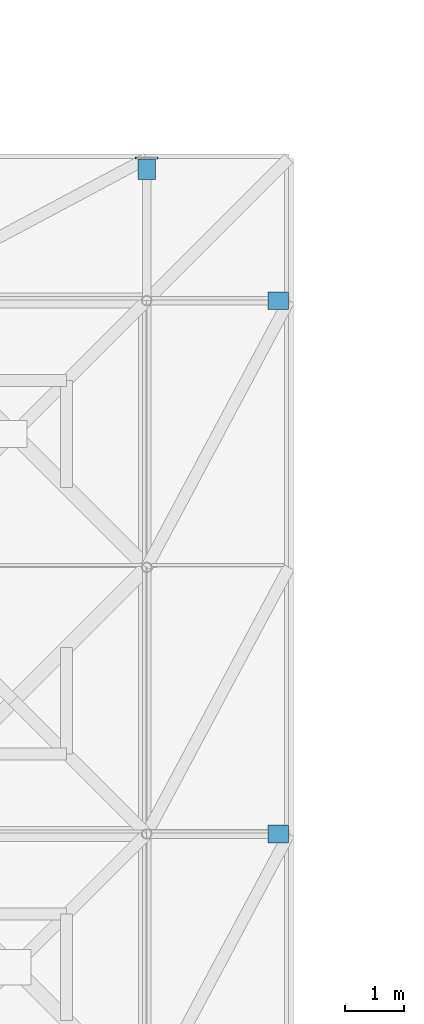
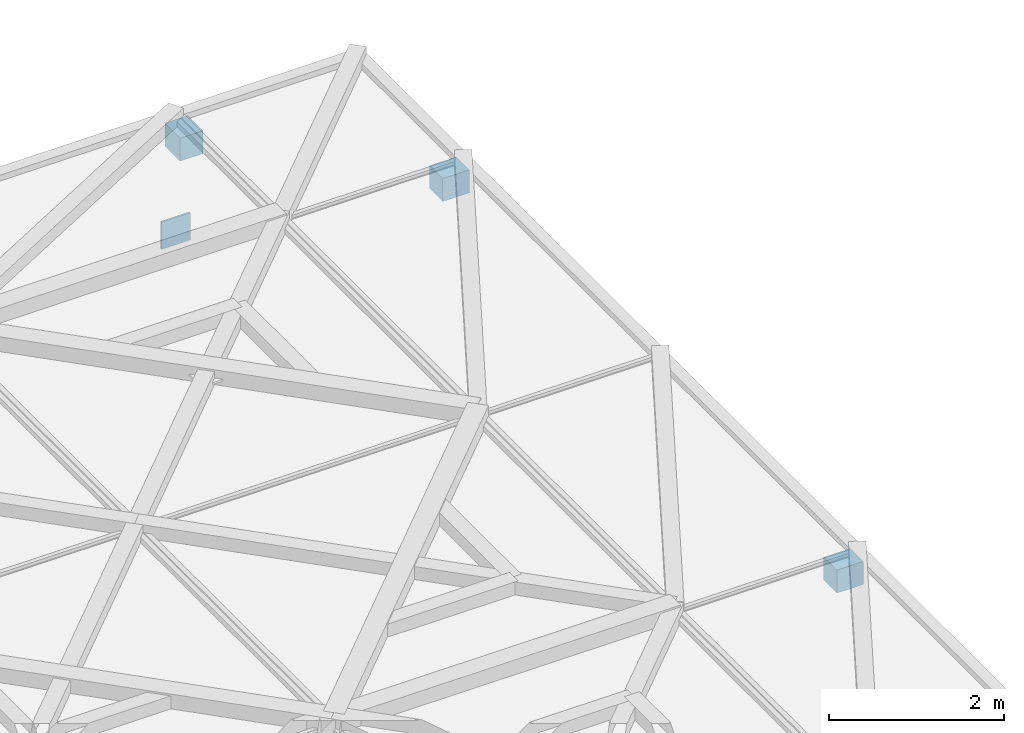
# One storey, part 78 of 80: 4 discrete accessories.
"""IFC4 building model written with IfcOpenShell, lengths in metres."""

from ifc_helpers import new_model, si_unit, direction, frame, origin, origin_2d, place, context, subcontext, project, spatial, rectangle, extrude, material, type_object, element, save


model = new_model("IFC4")

# Units and contexts
model_context = context("Model", 3, precision=1e-05, world=origin(), true_north=direction((0.0, 1.0)))
body_context = subcontext(model_context, "Body", "Model", "MODEL_VIEW")
ifc_project = project(units=[si_unit("LENGTHUNIT", "METRE"), si_unit("AREAUNIT", "SQUARE_METRE"), si_unit("VOLUMEUNIT", "CUBIC_METRE"), si_unit("PLANEANGLEUNIT", "RADIAN"), si_unit("MASSUNIT", "GRAM", prefix="KILO"), si_unit("THERMODYNAMICTEMPERATUREUNIT", "KELVIN"), si_unit("POWERUNIT", "WATT")], contexts=[model_context])

# Site, building, storey
site_placement = place(None, origin())
site = spatial("IfcSite", under=ifc_project, at=site_placement, CompositionType="ELEMENT")
building_placement = place(site_placement, origin())
building = spatial("IfcBuilding", under=site, at=building_placement, Name="Tallowbark Science Centre", CompositionType="ELEMENT")
storey_placement = place(building_placement, frame((0.0, 0.0, 25.949951171875)))
storey = spatial("IfcBuildingStorey", under=building, at=storey_placement, Name="ROOF", CompositionType="ELEMENT", Elevation=25.949951171875)

# Discrete accessories
ifc_material_1 = material(Name="White Architectural Painted Steel Grade C350L0 (350 MPa)", Category="steel")
discrete_accessory_type_1 = type_object("IfcDiscreteAccessoryType", Name="ACC-BRK-OUT", PredefinedType="BRACKET", material=ifc_material_1)
discrete_accessory_1_placement = place(storey_placement, frame((103.5, 42.719970703125, 0.0400390625), z_axis=(0.0, 0.0, 1.0), x_axis=(1.0, 0.0, 0.0)))
element("IfcDiscreteAccessory", 1, at=discrete_accessory_1_placement, inside=storey, type_object=discrete_accessory_type_1, Name="Outrigger Gusset Bracket N-112", PredefinedType="BRACKET", context=body_context, shape_type="SweptSolid", body=[
    extrude(rectangle(XDim=0.300048828125, YDim=0.35009765625, at=origin_2d()), origin(), (0.0, 0.0, 1.0), 0.320068359375),
])
for number, where, z_axis, x_axis, name in (
    (2, (105.719970703125, 31.5, 0.0400390625), (0.0, 0.0, 1.0), (1.0, 0.0, 0.0), "Outrigger Gusset Bracket E-120"),
    (3, (105.719970703125, 40.5, 0.0400390625), (0.0, 0.0, 1.0), (1.0, 0.0, 0.0), "Outrigger Gusset Bracket E-122"),
):
    element("IfcDiscreteAccessory", number, at=place(storey_placement, frame(where, z_axis=z_axis, x_axis=x_axis)), inside=storey, type_object=discrete_accessory_type_1, Name=name, PredefinedType="BRACKET", context=body_context, shape_type="SweptSolid", body=[
        extrude(rectangle(XDim=0.35009765625, YDim=0.300048828125, at=origin_2d()), origin(), (0.0, 0.0, 1.0), 0.320068359375),
    ])
ifc_material_2 = material(Name="Structural Steel Grade C350L0 (350 MPa)", Category="steel")
discrete_accessory_type_2 = type_object("IfcDiscreteAccessoryType", Name="ACC-CAP-380", PredefinedType="BRACKET", material=ifc_material_2)
discrete_accessory_2_placement = place(storey_placement, frame((103.5, 42.909912109375, -1.389892578125), z_axis=(0.0, 0.0, 1.0), x_axis=(1.0, 0.0, 0.0)))
element("IfcDiscreteAccessory", 4, at=discrete_accessory_2_placement, inside=storey, type_object=discrete_accessory_type_2, Name="Truss Bottom Chord End Cap N-11", PredefinedType="BRACKET", context=body_context, shape_type="SweptSolid", body=[
    extrude(rectangle(XDim=0.3798828125, YDim=0.02392578125, at=origin_2d()), origin(), (0.0, 0.0, 1.0), 0.3798828125),
])

save(model, "model.ifc")
